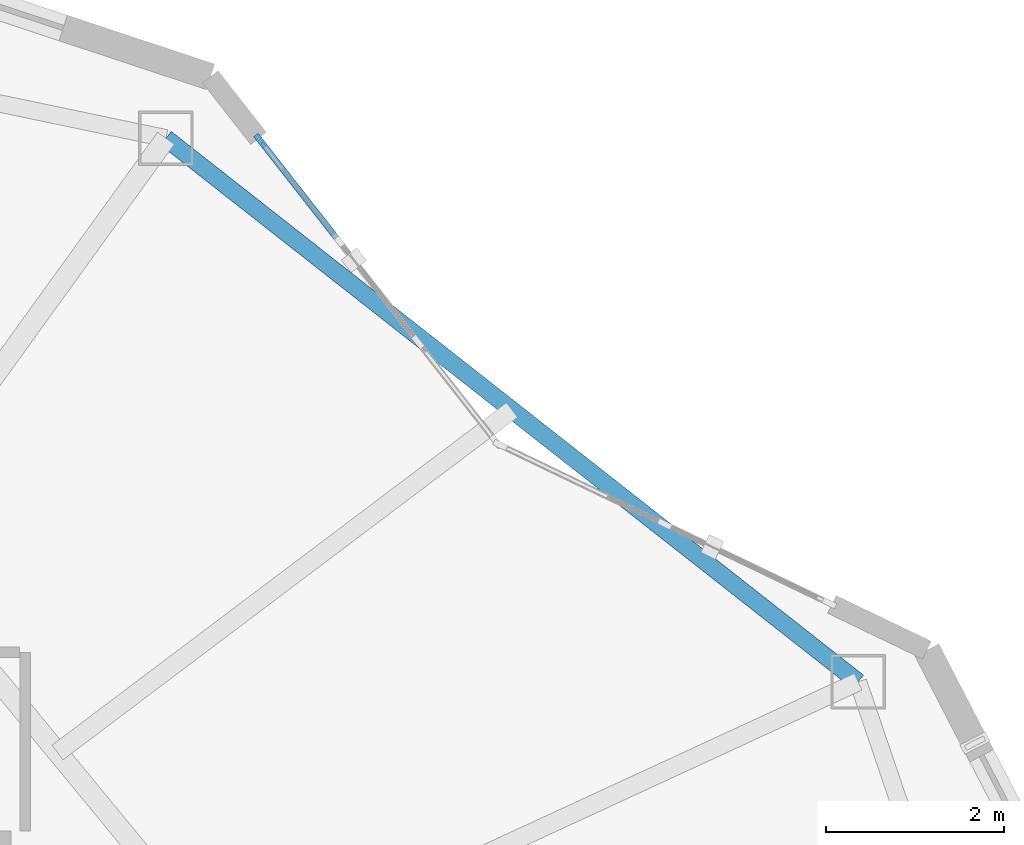
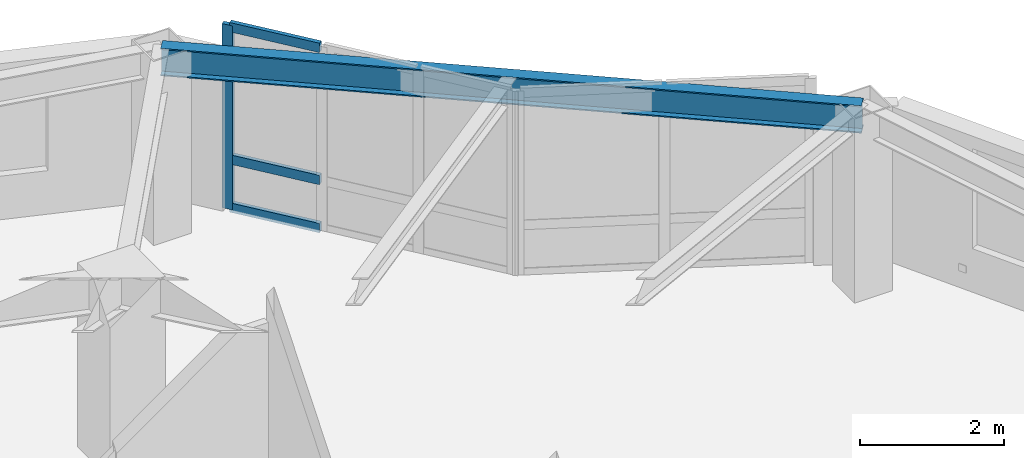
# One storey, part 6 of 19: 4 members, 1 beam, 1 element without a shape of its own.
"""IFC4 building model written with IfcOpenShell, lengths in metres."""

from ifc_helpers import new_model, si_unit, direction, frame, origin, origin_2d, place, context, subcontext, project, spatial, rectangle, i_section, extrude, material, layer, layer_set, material_profile, profile_set, type_object, element, aggregate, save


model = new_model("IFC4")

# Units and contexts
model_context = context("Model", 3, precision=1e-05, world=origin(), true_north=direction((0.0, 1.0)))
body_context = subcontext(model_context, "Body", "Model", "MODEL_VIEW")
ifc_project = project(units=[si_unit("LENGTHUNIT", "METRE"), si_unit("AREAUNIT", "SQUARE_METRE"), si_unit("VOLUMEUNIT", "CUBIC_METRE"), si_unit("PLANEANGLEUNIT", "RADIAN"), si_unit("MASSUNIT", "GRAM", prefix="KILO")], contexts=[model_context])

# Site, building, storey
site_placement = place(None, origin())
site = spatial("IfcSite", under=ifc_project, at=site_placement, CompositionType="ELEMENT")
building_placement = place(site_placement, origin())
building = spatial("IfcBuilding", under=site, at=building_placement, Name="Kolvaren Gate Tower and Convention Centre", CompositionType="ELEMENT")
storey_placement = place(building_placement, frame((0.0, 0.0, 169.89990234375)))
storey = spatial("IfcBuildingStorey", under=building, at=storey_placement, Name="L44", CompositionType="ELEMENT", Elevation=169.89990234375)

# Curtain wall, members
ifc_material_1 = material(Name="Anodized Architectural Aluminium Alloy 6063-T6", Category="aluminium")
ifc_layer = layer(ifc_material_1, 0.159912109375)
ifc_layer_set = layer_set([ifc_layer], Name="Anodized Architectural Aluminium Alloy 6063-T6")
curtain_wall_type = type_object("IfcCurtainWallType", Name="CW-HTL-UNIT", PredefinedType="NOTDEFINED", material=ifc_layer_set)
curtain_wall_placement = place(storey_placement, origin())
curtain_wall = element("IfcCurtainWall", 1, at=curtain_wall_placement, inside=storey, type_object=curtain_wall_type, Name="Tower L44 Unitised Curtain Wall CW-HTL-UNIT Bay 03", PredefinedType="NOTDEFINED")
ifc_material_profile_1 = material_profile(ifc_material_1, rectangle(XDim=0.06494140625, YDim=0.159912109375, at=origin_2d()), Name="CW-MEM-MUL-160")
ifc_profile_set_1 = profile_set([ifc_material_profile_1], Name="Anodized Architectural Aluminium Alloy 6063-T6")
member_type_1 = type_object("IfcMemberType", Name="CW-MEM-MUL-160", PredefinedType="MULLION", material=ifc_profile_set_1)
member_1_placement = place(storey_placement, frame((41.65380859375, 41.4833984375, 0.0), z_axis=(0.0, 0.0, 1.0), x_axis=(0.787403535469, 0.616437890084, 0.0)))
member_1 = element("IfcMember", 2, at=member_1_placement, type_object=member_type_1, Name="CW-03 mullion 1", PredefinedType="MULLION", context=body_context, shape_type="SweptSolid", body=[
    extrude(rectangle(XDim=0.06494140625, YDim=0.159912109375, at=origin_2d()), origin(), (0.0, 0.0, 1.0), 3.130126953125),
])
ifc_material_profile_2 = material_profile(ifc_material_1, rectangle(XDim=0.06494140625, YDim=0.159912109375, at=origin_2d()), Name="CW-MEM-TRN-160")
ifc_profile_set_2 = profile_set([ifc_material_profile_2], Name="Anodized Architectural Aluminium Alloy 6063-T6")
member_type_2 = type_object("IfcMemberType", Name="CW-MEM-TRN-160", PredefinedType="USERDEFINED", material=ifc_profile_set_2)
member_2_placement = place(storey_placement, frame((41.673828125, 41.457763671875, 0.03271484375), z_axis=(0.616488451497, -0.787363949626, 0.0), x_axis=(0.787363949626, 0.616488451497, 0.0)))
member_2 = element("IfcMember", 3, at=member_2_placement, type_object=member_type_2, Name="CW-03 transom 1.1", ObjectType="TRANSOM", PredefinedType="USERDEFINED", context=body_context, shape_type="SweptSolid", body=[
    extrude(rectangle(XDim=0.06494140625, YDim=0.159912109375, at=origin_2d()), origin(), (0.0, 0.0, 1.0), 1.3515625),
])
member_3_placement = place(storey_placement, frame((41.673828125, 41.457763671875, 0.85009765625), z_axis=(0.616488451497, -0.787363949626, 0.0), x_axis=(0.787363949626, 0.616488451497, 0.0)))
member_3 = element("IfcMember", 4, at=member_3_placement, type_object=member_type_2, Name="CW-03 transom 1.2", ObjectType="TRANSOM", PredefinedType="USERDEFINED", context=body_context, shape_type="SweptSolid", body=[
    extrude(rectangle(XDim=0.06494140625, YDim=0.159912109375, at=origin_2d()), origin(), (0.0, 0.0, 1.0), 1.3515625),
])
member_4_placement = place(storey_placement, frame((41.673828125, 41.457763671875, 3.09765625), z_axis=(0.616488451497, -0.787363949626, 0.0), x_axis=(0.787363949626, 0.616488451497, 0.0)))
member_4 = element("IfcMember", 5, at=member_4_placement, type_object=member_type_2, Name="CW-03 transom 1.3", ObjectType="TRANSOM", PredefinedType="USERDEFINED", context=body_context, shape_type="SweptSolid", body=[
    extrude(rectangle(XDim=0.06494140625, YDim=0.159912109375, at=origin_2d()), origin(), (0.0, 0.0, 1.0), 1.3515625),
])
aggregate(curtain_wall, [member_1, member_2, member_3, member_4])

# Beam
ifc_material_2 = material(Name="Structural steel ASTM A992 Grade 345 MPa", Category="steel")
ifc_material_profile_3 = material_profile(ifc_material_2, i_section(OverallWidth=0.194091796875, OverallDepth=0.468994140625, WebThickness=0.0126953125, FlangeThickness=0.0205078125, at=origin_2d()), Name="W460X106")
ifc_profile_set_3 = profile_set([ifc_material_profile_3], Name="Structural steel ASTM A992 Grade 345 MPa")
beam_type = type_object("IfcBeamType", Name="STR-SP-W460X106", PredefinedType="SPANDREL", material=ifc_profile_set_3)
beam_placement = place(storey_placement, frame((48.351806640625, 35.418701171875, 2.8955078125), z_axis=(-0.786450621777, 0.617653154697, 0.0), x_axis=(-0.617653154697, -0.786450621777, 0.0)))
element("IfcBeam", 6, at=beam_placement, inside=storey, type_object=beam_type, Name="Tower L44 Perimeter Spandrel Beam SP-02", PredefinedType="SPANDREL", context=body_context, shape_type="SweptSolid", body=[
    extrude(i_section(OverallWidth=0.194091796875, OverallDepth=0.468994140625, WebThickness=0.0126953125, FlangeThickness=0.0205078125, at=origin_2d()), origin(), (0.0, 0.0, 1.0), 9.861328125),
])

save(model, "model.ifc")
